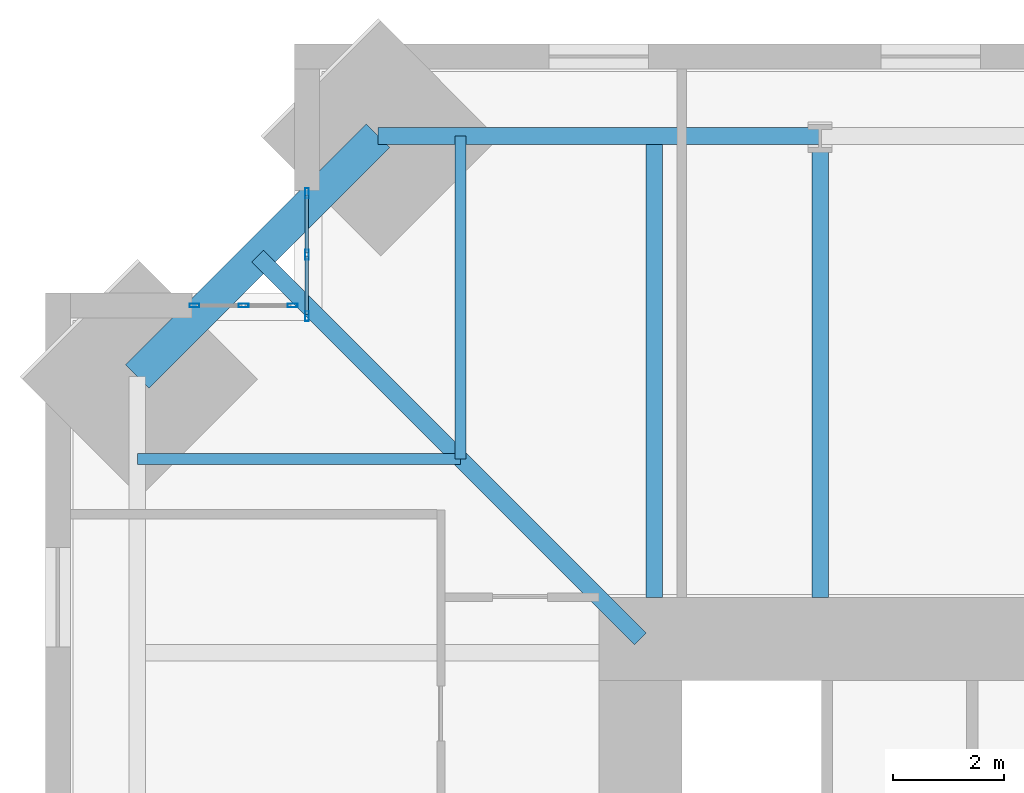
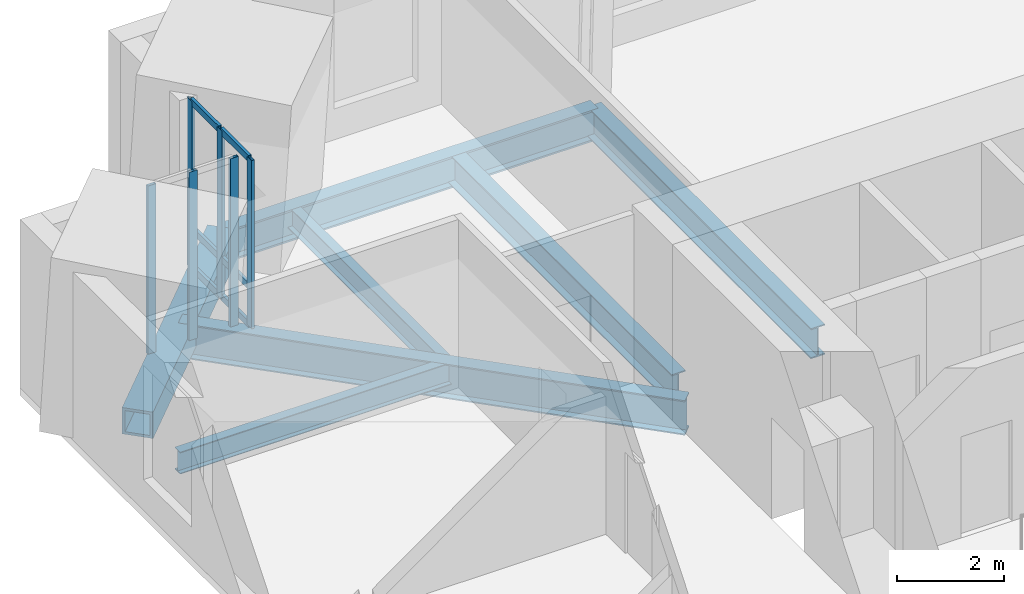
# One storey, part 6 of 16: 12 members, 7 beams, 2 elements without a shape of their own.
"""IFC4 building model written with IfcOpenShell, lengths in metres."""

from ifc_helpers import new_model, si_unit, direction, frame, origin, origin_2d, place, context, subcontext, project, spatial, hollow_rectangle, i_section, extrude, material, material_profile, profile_set, type_object, element, aggregate, save


model = new_model("IFC4")

# Units and contexts
model_context = context("Model", 3, precision=1e-05, world=origin(), true_north=direction((0.0, 1.0)))
body_context = subcontext(model_context, "Body", "Model", "MODEL_VIEW")
ifc_project = project(units=[si_unit("LENGTHUNIT", "METRE"), si_unit("AREAUNIT", "SQUARE_METRE"), si_unit("VOLUMEUNIT", "CUBIC_METRE"), si_unit("PLANEANGLEUNIT", "RADIAN"), si_unit("MASSUNIT", "GRAM", prefix="KILO")], contexts=[model_context])

# Site, building, storey
site_placement = place(None, origin())
site = spatial("IfcSite", under=ifc_project, at=site_placement, CompositionType="ELEMENT")
building_placement = place(site_placement, origin())
building = spatial("IfcBuilding", under=site, at=building_placement, Name="Peilmerk Tower", CompositionType="ELEMENT")
storey_placement = place(building_placement, frame((0.0, 0.0, 261.800048828125)))
storey = spatial("IfcBuildingStorey", under=building, at=storey_placement, Name="L58", CompositionType="ELEMENT", Elevation=261.800048828125)

# Beams
ifc_material_1 = material(Name="Steel S355", Category="steel")
ifc_material_profile_1 = material_profile(ifc_material_1, i_section(OverallWidth=0.300048828125, OverallDepth=0.68994140625, WebThickness=0.014404296875, FlangeThickness=0.027099609375, at=origin_2d()), Name="HEA 700")
ifc_profile_set_1 = profile_set([ifc_material_profile_1], Name="Steel S355")
beam_type_1 = type_object("IfcBeamType", Name="B16 HEA 700 floor beam", PredefinedType="BEAM", material=ifc_profile_set_1)
for number, where, z_axis, x_axis, name in (
    (1, (-8.0, 12.0, -0.51513671875), (0.0, 1.0, 0.0), (-1.0, 0.0, 0.0), "Floor beam L58"),
    (2, (-11.0, 12.0, -0.51513671875), (0.0, 1.0, 0.0), (-1.0, 0.0, 0.0), "Floor beam L58"),
):
    element("IfcBeam", number, at=place(storey_placement, frame(where, z_axis=z_axis, x_axis=x_axis)), inside=storey, type_object=beam_type_1, Name=name, PredefinedType="BEAM", context=body_context, shape_type="SweptSolid", body=[
        extrude(i_section(OverallWidth=0.300048828125, OverallDepth=0.68994140625, WebThickness=0.014404296875, FlangeThickness=0.027099609375, at=origin_2d()), origin(), (0.0, 0.0, 1.0), 8.34033203125),
    ])
ifc_material_2 = material(Name="Steel S460", Category="steel")
ifc_material_profile_2 = material_profile(ifc_material_2, hollow_rectangle(XDim=0.60009765625, YDim=0.60009765625, WallThickness=0.06005859375, at=origin_2d()), Name="BOX 600x600x60")
ifc_profile_set_2 = profile_set([ifc_material_profile_2], Name="Steel S460")
beam_type_2 = type_object("IfcBeamType", Name="B20 BOX 600x600x60 notch beam", PredefinedType="SPANDREL", material=ifc_profile_set_2)
beam_1_placement = place(storey_placement, frame((-20.34033203125, 15.990234375, -0.469970703125), z_axis=(0.707106781187, 0.707106781187, 0.0), x_axis=(-0.707106781187, 0.707106781187, 0.0)))
element("IfcBeam", 3, at=beam_1_placement, inside=storey, type_object=beam_type_2, Name="Notch beam L58", PredefinedType="SPANDREL", context=body_context, shape_type="SweptSolid", body=[
    extrude(hollow_rectangle(XDim=0.60009765625, YDim=0.60009765625, WallThickness=0.06005859375, at=origin_2d()), origin(), (0.0, 0.0, 1.0), 6.15185546875),
])
ifc_material_profile_3 = material_profile(ifc_material_1, i_section(OverallWidth=0.300048828125, OverallDepth=0.7900390625, WebThickness=0.014892578125, FlangeThickness=0.028076171875, at=origin_2d()), Name="HEA 800")
ifc_profile_set_3 = profile_set([ifc_material_profile_3], Name="Steel S355")
beam_type_3 = type_object("IfcBeamType", Name="B3 HEA 800 floor beam", PredefinedType="BEAM", material=ifc_profile_set_3)
beam_2_placement = place(storey_placement, frame((-11.25, 11.25, -0.56494140625), z_axis=(-0.707106781187, 0.707106781187, 0.0), x_axis=(-0.707106781187, -0.707106781187, 0.0)))
element("IfcBeam", 4, at=beam_2_placement, inside=storey, type_object=beam_type_3, Name="Corner girder L58", PredefinedType="BEAM", context=body_context, shape_type="SweptSolid", body=[
    extrude(i_section(OverallWidth=0.300048828125, OverallDepth=0.7900390625, WebThickness=0.014892578125, FlangeThickness=0.028076171875, at=origin_2d()), origin(), (0.0, 0.0, 1.0), 9.77978515625),
])
ifc_material_profile_4 = material_profile(ifc_material_1, i_section(OverallWidth=0.303955078125, OverallDepth=0.716064453125, WebThickness=0.02099609375, FlangeThickness=0.0400390625, at=origin_2d()), Name="HEM 700")
ifc_profile_set_4 = profile_set([ifc_material_profile_4], Name="Steel S355")
beam_type_4 = type_object("IfcBeamType", Name="B30 HEM 700 edge beam", PredefinedType="SPANDREL", material=ifc_profile_set_4)
beam_3_placement = place(storey_placement, frame((-8.0, 20.34033203125, -0.528076171875), z_axis=(-1.0, 0.0, 0.0), x_axis=(0.0, -1.0, 0.0)))
element("IfcBeam", 5, at=beam_3_placement, inside=storey, type_object=beam_type_4, Name="Edge beam L58", PredefinedType="SPANDREL", context=body_context, shape_type="SweptSolid", body=[
    extrude(i_section(OverallWidth=0.303955078125, OverallDepth=0.716064453125, WebThickness=0.02099609375, FlangeThickness=0.0400390625, at=origin_2d()), origin(), (0.0, 0.0, 1.0), 7.990234375),
])
ifc_material_profile_5 = material_profile(ifc_material_1, i_section(OverallWidth=0.199951171875, OverallDepth=0.5, WebThickness=0.01025390625, FlangeThickness=0.01611328125, at=origin_2d()), Name="IPE 500")
ifc_profile_set_5 = profile_set([ifc_material_profile_5], Name="Steel S355")
beam_type_5 = type_object("IfcBeamType", Name="B32 IPE 500 floor beam", PredefinedType="BEAM", material=ifc_profile_set_5)
for number, where, z_axis, x_axis, name in (
    (6, (-14.5, 14.5, -0.420166015625), (0.0, 1.0, 0.0), (-1.0, 0.0, 0.0), "Floor beam L58"),
    (7, (-14.5, 14.5, -0.420166015625), (-1.0, 0.0, 0.0), (0.0, -1.0, 0.0), "Floor beam L58"),
):
    element("IfcBeam", number, at=place(storey_placement, frame(where, z_axis=z_axis, x_axis=x_axis)), inside=storey, type_object=beam_type_5, Name=name, PredefinedType="BEAM", context=body_context, shape_type="SweptSolid", body=[
        extrude(i_section(OverallWidth=0.199951171875, OverallDepth=0.5, WebThickness=0.01025390625, FlangeThickness=0.01611328125, at=origin_2d()), origin(), (0.0, 0.0, 1.0), 5.84033203125),
    ])

# Curtain wall, members
ifc_material_3 = material(Name="Aluminium stick curtain wall", Category="aluminium")
curtain_wall_type = type_object("IfcCurtainWallType", Name="CW4 stick curtain wall, 2250 module", PredefinedType="NOTDEFINED", material=ifc_material_3)
curtain_wall_1_placement = place(storey_placement, origin())
curtain_wall_1 = element("IfcCurtainWall", 8, at=curtain_wall_1_placement, inside=storey, type_object=curtain_wall_type, Name="Curtain wall CW4 NWA L58", PredefinedType="NOTDEFINED")
ifc_material_4 = material(Name="Aluminium EN AW-6063 T6", Category="aluminium")
ifc_material_profile_6 = material_profile(ifc_material_4, hollow_rectangle(XDim=0.06494140625, YDim=0.179931640625, WallThickness=0.0029296875, at=origin_2d()), Name="AL 180x65x3")
ifc_profile_set_6 = profile_set([ifc_material_profile_6], Name="Aluminium EN AW-6063 T6")
member_type_1 = type_object("IfcMemberType", Name="CW4-M AL 180x65x3 mullion", PredefinedType="MULLION", material=ifc_profile_set_6)
member_1_placement = place(storey_placement, frame((-17.27490234375, 17.08251953125, 0.0), z_axis=(0.0, 0.0, 1.0), x_axis=(-1.0, 0.0, 0.0)))
member_1 = element("IfcMember", 9, at=member_1_placement, type_object=member_type_1, Name="CW4 mullion 1", PredefinedType="MULLION", context=body_context, shape_type="SweptSolid", body=[
    extrude(hollow_rectangle(XDim=0.06494140625, YDim=0.179931640625, WallThickness=0.0029296875, at=origin_2d()), origin(), (0.0, 0.0, 1.0), 3.829833984375),
])
member_2_placement = place(storey_placement, frame((-17.27490234375, 18.1943359375, 0.0), z_axis=(0.0, 0.0, 1.0), x_axis=(-1.0, 0.0, 0.0)))
member_2 = element("IfcMember", 10, at=member_2_placement, type_object=member_type_1, Name="CW4 mullion 2", PredefinedType="MULLION", context=body_context, shape_type="SweptSolid", body=[
    extrude(hollow_rectangle(XDim=0.06494140625, YDim=0.179931640625, WallThickness=0.0029296875, at=origin_2d()), origin(), (0.0, 0.0, 1.0), 3.829833984375),
])
member_3_placement = place(storey_placement, frame((-17.27490234375, 19.30615234375, 0.0), z_axis=(0.0, 0.0, 1.0), x_axis=(-1.0, 0.0, 0.0)))
member_3 = element("IfcMember", 11, at=member_3_placement, type_object=member_type_1, Name="CW4 mullion 3", PredefinedType="MULLION", context=body_context, shape_type="SweptSolid", body=[
    extrude(hollow_rectangle(XDim=0.06494140625, YDim=0.179931640625, WallThickness=0.0029296875, at=origin_2d()), origin(), (0.0, 0.0, 1.0), 3.829833984375),
])

curtain_wall_2_placement = place(storey_placement, origin())
curtain_wall_2 = element("IfcCurtainWall", 12, at=curtain_wall_2_placement, inside=storey, type_object=curtain_wall_type, Name="Curtain wall CW4 NWB L58", PredefinedType="NOTDEFINED")
member_4_placement = place(storey_placement, frame((-17.532470703125, 17.27490234375, 0.0), z_axis=(0.0, 0.0, 1.0), x_axis=(0.0, -1.0, 0.0)))
member_4 = element("IfcMember", 13, at=member_4_placement, type_object=member_type_1, Name="CW4 mullion 1", PredefinedType="MULLION", context=body_context, shape_type="SweptSolid", body=[
    extrude(hollow_rectangle(XDim=0.06494140625, YDim=0.179931640625, WallThickness=0.0029296875, at=origin_2d()), origin(), (0.0, 0.0, 1.0), 3.829833984375),
])
member_5_placement = place(storey_placement, frame((-18.41943359375, 17.27490234375, 0.0), z_axis=(0.0, 0.0, 1.0), x_axis=(0.0, -1.0, 0.0)))
member_5 = element("IfcMember", 14, at=member_5_placement, type_object=member_type_1, Name="CW4 mullion 2", PredefinedType="MULLION", context=body_context, shape_type="SweptSolid", body=[
    extrude(hollow_rectangle(XDim=0.06494140625, YDim=0.179931640625, WallThickness=0.0029296875, at=origin_2d()), origin(), (0.0, 0.0, 1.0), 3.829833984375),
])
member_6_placement = place(storey_placement, frame((-19.30615234375, 17.27490234375, 0.0), z_axis=(0.0, 0.0, 1.0), x_axis=(0.0, -1.0, 0.0)))
member_6 = element("IfcMember", 15, at=member_6_placement, type_object=member_type_1, Name="CW4 mullion 3", PredefinedType="MULLION", context=body_context, shape_type="SweptSolid", body=[
    extrude(hollow_rectangle(XDim=0.06494140625, YDim=0.179931640625, WallThickness=0.0029296875, at=origin_2d()), origin(), (0.0, 0.0, 1.0), 3.829833984375),
])
aggregate(curtain_wall_2, [member_4, member_5, member_6])

# Member
ifc_material_profile_7 = material_profile(ifc_material_4, hollow_rectangle(XDim=0.06494140625, YDim=0.14990234375, WallThickness=0.0029296875, at=origin_2d()), Name="AL 150x65x3")
ifc_profile_set_7 = profile_set([ifc_material_profile_7], Name="Aluminium EN AW-6063 T6")
member_type_2 = type_object("IfcMemberType", Name="CW4-T AL 150x65x3 transom", PredefinedType="USERDEFINED", material=ifc_profile_set_7)
member_7_placement = place(storey_placement, frame((-17.27490234375, 17.114990234375, 0.032470703125), z_axis=(0.0, 1.0, 0.0), x_axis=(-1.0, 0.0, 0.0)))
member_7 = element("IfcMember", 16, at=member_7_placement, type_object=member_type_2, Name="CW4 transom 1.1", ObjectType="TRANSOM", PredefinedType="USERDEFINED", context=body_context, shape_type="SweptSolid", body=[
    extrude(hollow_rectangle(XDim=0.06494140625, YDim=0.14990234375, WallThickness=0.0029296875, at=origin_2d()), origin(), (0.0, 0.0, 1.0), 1.046875),
])

member_8_placement = place(storey_placement, frame((-17.27490234375, 17.114990234375, 0.89990234375), z_axis=(0.0, 1.0, 0.0), x_axis=(-1.0, 0.0, 0.0)))
member_8 = element("IfcMember", 17, at=member_8_placement, type_object=member_type_2, Name="CW4 transom 1.2", ObjectType="TRANSOM", PredefinedType="USERDEFINED", context=body_context, shape_type="SweptSolid", body=[
    extrude(hollow_rectangle(XDim=0.06494140625, YDim=0.14990234375, WallThickness=0.0029296875, at=origin_2d()), origin(), (0.0, 0.0, 1.0), 1.046875),
])

member_9_placement = place(storey_placement, frame((-17.27490234375, 17.114990234375, 3.79736328125), z_axis=(0.0, 1.0, 0.0), x_axis=(-1.0, 0.0, 0.0)))
member_9 = element("IfcMember", 18, at=member_9_placement, type_object=member_type_2, Name="CW4 transom 1.3", ObjectType="TRANSOM", PredefinedType="USERDEFINED", context=body_context, shape_type="SweptSolid", body=[
    extrude(hollow_rectangle(XDim=0.06494140625, YDim=0.14990234375, WallThickness=0.0029296875, at=origin_2d()), origin(), (0.0, 0.0, 1.0), 1.046875),
])

member_10_placement = place(storey_placement, frame((-17.27490234375, 18.226806640625, 0.032470703125), z_axis=(0.0, 1.0, 0.0), x_axis=(-1.0, 0.0, 0.0)))
member_10 = element("IfcMember", 19, at=member_10_placement, type_object=member_type_2, Name="CW4 transom 2.1", ObjectType="TRANSOM", PredefinedType="USERDEFINED", context=body_context, shape_type="SweptSolid", body=[
    extrude(hollow_rectangle(XDim=0.06494140625, YDim=0.14990234375, WallThickness=0.0029296875, at=origin_2d()), origin(), (0.0, 0.0, 1.0), 1.046875),
])

member_11_placement = place(storey_placement, frame((-17.27490234375, 18.226806640625, 0.89990234375), z_axis=(0.0, 1.0, 0.0), x_axis=(-1.0, 0.0, 0.0)))
member_11 = element("IfcMember", 20, at=member_11_placement, type_object=member_type_2, Name="CW4 transom 2.2", ObjectType="TRANSOM", PredefinedType="USERDEFINED", context=body_context, shape_type="SweptSolid", body=[
    extrude(hollow_rectangle(XDim=0.06494140625, YDim=0.14990234375, WallThickness=0.0029296875, at=origin_2d()), origin(), (0.0, 0.0, 1.0), 1.046875),
])

member_12_placement = place(storey_placement, frame((-17.27490234375, 18.226806640625, 3.79736328125), z_axis=(0.0, 1.0, 0.0), x_axis=(-1.0, 0.0, 0.0)))
member_12 = element("IfcMember", 21, at=member_12_placement, type_object=member_type_2, Name="CW4 transom 2.3", ObjectType="TRANSOM", PredefinedType="USERDEFINED", context=body_context, shape_type="SweptSolid", body=[
    extrude(hollow_rectangle(XDim=0.06494140625, YDim=0.14990234375, WallThickness=0.0029296875, at=origin_2d()), origin(), (0.0, 0.0, 1.0), 1.046875),
])

aggregate(curtain_wall_1, [member_1, member_2, member_3, member_7, member_8, member_9, member_10, member_11, member_12])

save(model, "model.ifc")
